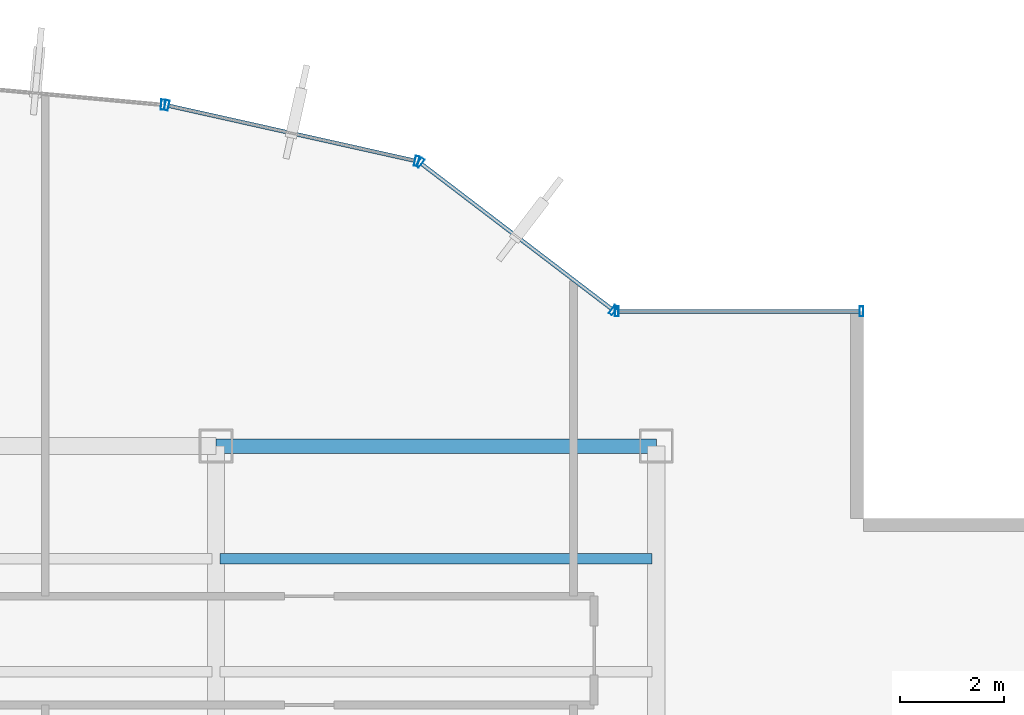
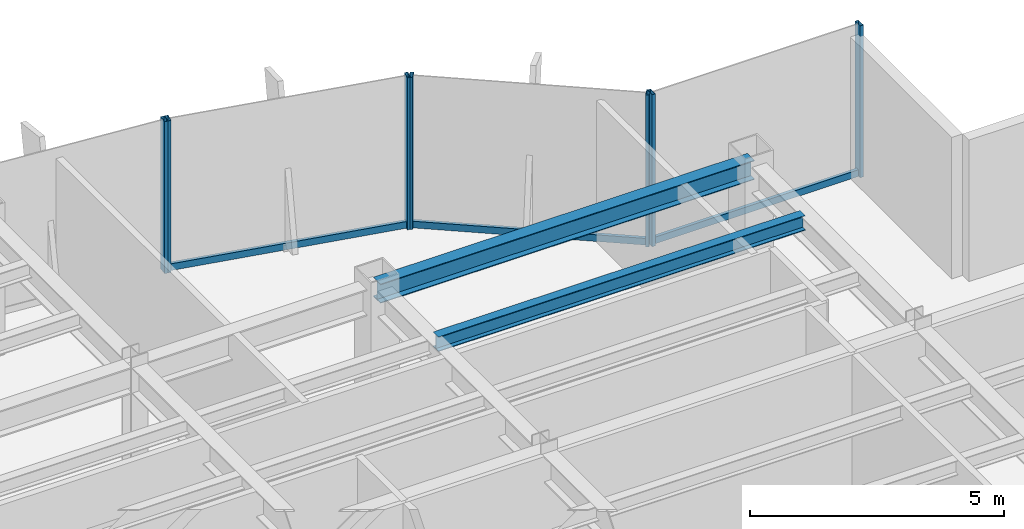
# One storey, part 17 of 25: 10 members, 2 beams, 4 elements without a shape of their own.
"""IFC4 building model written with IfcOpenShell, lengths in metres."""

from ifc_helpers import new_model, si_unit, derived_unit, direction, frame, origin, origin_2d, place, context, subcontext, project, spatial, hollow_rectangle, i_section, extrude, source, transform, mapped, material, material_profile, profile_set, type_object, element, aggregate, save


model = new_model("IFC4")

# Units and contexts
model_context = context("Model", 3, precision=1e-05, world=origin(), true_north=direction((0.0, 1.0)))
body_context = subcontext(model_context, "Body", "Model", "MODEL_VIEW")
ifc_project = project(units=[si_unit("LENGTHUNIT", "METRE"), si_unit("AREAUNIT", "SQUARE_METRE"), si_unit("VOLUMEUNIT", "CUBIC_METRE"), si_unit("PLANEANGLEUNIT", "RADIAN"), si_unit("MASSUNIT", "GRAM", prefix="KILO"), derived_unit("THERMALTRANSMITTANCEUNIT", [(si_unit("POWERUNIT", "WATT"), 1), (si_unit("LENGTHUNIT", "METRE"), -2), (si_unit("THERMODYNAMICTEMPERATUREUNIT", "KELVIN"), -1)])], contexts=[model_context])

# Site, building, storey
site_placement = place(None, origin())
site = spatial("IfcSite", under=ifc_project, at=site_placement, CompositionType="ELEMENT")
building_placement = place(site_placement, origin())
building = spatial("IfcBuilding", under=site, at=building_placement, Name="Skarnbrae Concourse Arena and Tower", CompositionType="ELEMENT")
storey_placement = place(building_placement, frame((0.0, 0.0, 144.25)))
storey = spatial("IfcBuildingStorey", under=building, at=storey_placement, Name="L36", CompositionType="ELEMENT", Elevation=144.25)

# Beams
ifc_material_1 = material(Name="Steel CSA G40.21 350W", Category="steel")
ifc_material_profile_1 = material_profile(ifc_material_1, i_section(OverallWidth=0.280029296875, OverallDepth=0.462890625, WebThickness=0.0107421875, FlangeThickness=0.017333984375, at=origin_2d()), Name="W460X113")
ifc_profile_set_1 = profile_set([ifc_material_profile_1], Name="Steel CSA G40.21 350W")
beam_type_1 = type_object("IfcBeamType", Name="BM-SPAN-W460X113", PredefinedType="SPANDREL", material=ifc_profile_set_1)
shared_shape_1 = source(origin(), body_context, "Body", "SweptSolid", [
    extrude(i_section(OverallWidth=0.280029296875, OverallDepth=0.462890625, WebThickness=0.0107421875, FlangeThickness=0.017333984375, at=origin_2d()), origin(), (0.0, 0.0, 1.0), 8.5),
])
beam_1_placement = place(storey_placement, frame((33.5, 34.39990234375, 3.16845703125), z_axis=(1.0, 0.0, 0.0), x_axis=(0.0, 1.0, 0.0)))
element("IfcBeam", 1, at=beam_1_placement, inside=storey, type_object=beam_type_1, Name="L36 Perimeter spandrel Y34.4-5", PredefinedType="SPANDREL", context=body_context, shape_type="MappedRepresentation", body=[
    mapped(shared_shape_1, transform((0.0, 0.0, 0.0))),
])
ifc_material_profile_2 = material_profile(ifc_material_1, i_section(OverallWidth=0.205078125, OverallDepth=0.35400390625, WebThickness=0.009521484375, FlangeThickness=0.016845703125, at=origin_2d()), Name="W360X79")
ifc_profile_set_2 = profile_set([ifc_material_profile_2], Name="Steel CSA G40.21 350W")
beam_type_2 = type_object("IfcBeamType", Name="BM-JOIST-W360X79", PredefinedType="JOIST", material=ifc_profile_set_2)
shared_shape_2 = source(origin(), body_context, "Body", "SweptSolid", [
    extrude(i_section(OverallWidth=0.205078125, OverallDepth=0.35400390625, WebThickness=0.009521484375, FlangeThickness=0.016845703125, at=origin_2d()), origin(), (0.0, 0.0, 1.0), 8.33984375),
])
beam_2_placement = place(storey_placement, frame((33.580078125, 32.221923828125, 3.222900390625), z_axis=(1.0, 0.0, 0.0), x_axis=(0.0, 1.0, 0.0)))
element("IfcBeam", 2, at=beam_2_placement, inside=storey, type_object=beam_type_2, Name="L36 Secondary floor joist 3.2.5", PredefinedType="JOIST", context=body_context, shape_type="MappedRepresentation", body=[
    mapped(shared_shape_2, transform((0.0, 0.0, 0.0))),
])

# Curtain wall, members
ifc_material_2 = material(Name="Bronze anodised aluminium 6063-T6", Category="aluminium")
curtain_wall_type = type_object("IfcCurtainWallType", Name="CW-SYS-04-MIDZONE", PredefinedType="USERDEFINED", material=ifc_material_2)
curtain_wall_1_placement = place(storey_placement, origin())
curtain_wall_1 = element("IfcCurtainWall", 3, at=curtain_wall_1_placement, inside=storey, type_object=curtain_wall_type, Name="L36 Unitised curtain wall CW-L36-E07", ObjectType="UNITISED CURTAIN WALL", PredefinedType="USERDEFINED")
ifc_material_profile_3 = material_profile(ifc_material_2, hollow_rectangle(XDim=0.074951171875, YDim=0.195068359375, WallThickness=0.00439453125, at=origin_2d()), Name="ALU-MULL-75X195")
ifc_profile_set_3 = profile_set([ifc_material_profile_3], Name="Bronze anodised aluminium 6063-T6")
member_type_1 = type_object("IfcMemberType", Name="CWM-CW-04", PredefinedType="MULLION", material=ifc_profile_set_3)
shared_shape_3 = source(origin(), body_context, "Body", "SweptSolid", [
    extrude(hollow_rectangle(XDim=0.074951171875, YDim=0.195068359375, WallThickness=0.00439453125, at=origin_2d()), origin(), (0.0, 0.0, 1.0), 3.64990234375),
])
member_1_placement = place(storey_placement, frame((45.96240234375, 37.0, 0.0), z_axis=(0.0, 0.0, 1.0), x_axis=(-1.0, 0.0, 0.0)))
member_1 = element("IfcMember", 4, at=member_1_placement, type_object=member_type_1, Name="CW-L36-E07 Mullion 1", PredefinedType="MULLION", context=body_context, shape_type="MappedRepresentation", body=[
    mapped(shared_shape_3, transform((0.0, 0.0, 0.0))),
])
member_2_placement = place(storey_placement, frame((41.237548828125, 37.0, 0.0), z_axis=(0.0, 0.0, 1.0), x_axis=(-1.0, 0.0, 0.0)))
member_2 = element("IfcMember", 5, at=member_2_placement, type_object=member_type_1, Name="CW-L36-E07 Mullion 2", PredefinedType="MULLION", context=body_context, shape_type="MappedRepresentation", body=[
    mapped(shared_shape_3, transform((0.0, 0.0, 0.0))),
])

curtain_wall_2_placement = place(storey_placement, origin())
curtain_wall_2 = element("IfcCurtainWall", 6, at=curtain_wall_2_placement, inside=storey, type_object=curtain_wall_type, Name="L36 Unitised curtain wall CW-L36-E08", ObjectType="UNITISED CURTAIN WALL", PredefinedType="USERDEFINED")
member_3_placement = place(storey_placement, frame((41.170166015625, 37.022705078125, 0.0), z_axis=(0.0, 0.0, 1.0), x_axis=(-0.794956000706, 0.606667089054, 0.0)))
member_3 = element("IfcMember", 7, at=member_3_placement, type_object=member_type_1, Name="CW-L36-E08 Mullion 1", PredefinedType="MULLION", context=body_context, shape_type="MappedRepresentation", body=[
    mapped(shared_shape_3, transform((0.0, 0.0, 0.0))),
])
member_4_placement = place(storey_placement, frame((37.439208984375, 39.869873046875, 0.0), z_axis=(0.0, 0.0, 1.0), x_axis=(-0.794956000706, 0.606667089054, 0.0)))
member_4 = element("IfcMember", 8, at=member_4_placement, type_object=member_type_1, Name="CW-L36-E08 Mullion 2", PredefinedType="MULLION", context=body_context, shape_type="MappedRepresentation", body=[
    mapped(shared_shape_3, transform((0.0, 0.0, 0.0))),
])

curtain_wall_3_placement = place(storey_placement, origin())
curtain_wall_3 = element("IfcCurtainWall", 9, at=curtain_wall_3_placement, inside=storey, type_object=curtain_wall_type, Name="L36 Unitised curtain wall CW-L36-E09", ObjectType="UNITISED CURTAIN WALL", PredefinedType="USERDEFINED")
member_5_placement = place(storey_placement, frame((37.372802734375, 39.90087890625, 0.0), z_axis=(0.0, 0.0, 1.0), x_axis=(-0.975936175393, 0.218056372433, 0.0)))
member_5 = element("IfcMember", 10, at=member_5_placement, type_object=member_type_1, Name="CW-L36-E09 Mullion 1", PredefinedType="MULLION", context=body_context, shape_type="MappedRepresentation", body=[
    mapped(shared_shape_3, transform((0.0, 0.0, 0.0))),
])
member_6_placement = place(storey_placement, frame((32.548828125, 40.978759765625, 0.0), z_axis=(0.0, 0.0, 1.0), x_axis=(-0.975936175393, 0.218056372433, 0.0)))
member_6 = element("IfcMember", 11, at=member_6_placement, type_object=member_type_1, Name="CW-L36-E09 Mullion 2", PredefinedType="MULLION", context=body_context, shape_type="MappedRepresentation", body=[
    mapped(shared_shape_3, transform((0.0, 0.0, 0.0))),
])

# Curtain wall, member
curtain_wall_4_placement = place(storey_placement, origin())
curtain_wall_4 = element("IfcCurtainWall", 12, at=curtain_wall_4_placement, inside=storey, type_object=curtain_wall_type, Name="L36 Unitised curtain wall CW-L36-E10", ObjectType="UNITISED CURTAIN WALL", PredefinedType="USERDEFINED")
member_7_placement = place(storey_placement, frame((32.47509765625, 40.990234375, 0.0), z_axis=(0.0, 0.0, 1.0), x_axis=(-0.995819926016, 0.091338244731, 0.0)))
member_7 = element("IfcMember", 13, at=member_7_placement, type_object=member_type_1, Name="CW-L36-E10 Mullion 1", PredefinedType="MULLION", context=body_context, shape_type="MappedRepresentation", body=[
    mapped(shared_shape_3, transform((0.0, 0.0, 0.0))),
])
aggregate(curtain_wall_4, [member_7])

# Member
ifc_material_profile_4 = material_profile(ifc_material_2, hollow_rectangle(XDim=0.074951171875, YDim=0.159912109375, WallThickness=0.00439453125, at=origin_2d()), Name="ALU-TRAN-75X160")
ifc_profile_set_4 = profile_set([ifc_material_profile_4], Name="Bronze anodised aluminium 6063-T6")
member_type_2 = type_object("IfcMemberType", Name="CWT-CW-04", PredefinedType="USERDEFINED", material=ifc_profile_set_4)
shared_shape_4 = source(origin(), body_context, "Body", "SweptSolid", [
    extrude(hollow_rectangle(XDim=0.074951171875, YDim=0.159912109375, WallThickness=0.00439453125, at=origin_2d()), origin(), (0.0, 0.0, 1.0), 4.650146484375),
])
member_8_placement = place(storey_placement, frame((45.925048828125, 37.0, 0.080078125), z_axis=(-1.0, 0.0, 0.0), x_axis=(0.0, -1.0, 0.0)))
member_8 = element("IfcMember", 14, at=member_8_placement, type_object=member_type_2, Name="CW-L36-E07 Transom 1", ObjectType="TRANSOM", PredefinedType="USERDEFINED", context=body_context, shape_type="MappedRepresentation", body=[
    mapped(shared_shape_4, transform((0.0, 0.0, 0.0))),
])

aggregate(curtain_wall_1, [member_1, member_2, member_8])

shared_shape_5 = source(origin(), body_context, "Body", "SweptSolid", [
    extrude(hollow_rectangle(XDim=0.074951171875, YDim=0.159912109375, WallThickness=0.00439453125, at=origin_2d()), origin(), (0.0, 0.0, 1.0), 4.618408203125),
])
member_9_placement = place(storey_placement, frame((41.140380859375, 37.04541015625, 0.080078125), z_axis=(-0.794960638756, 0.606661011462, 0.0), x_axis=(-0.606661011462, -0.794960638756, 0.0)))
member_9 = element("IfcMember", 15, at=member_9_placement, type_object=member_type_2, Name="CW-L36-E08 Transom 1", ObjectType="TRANSOM", PredefinedType="USERDEFINED", context=body_context, shape_type="MappedRepresentation", body=[
    mapped(shared_shape_5, transform((0.0, 0.0, 0.0))),
])

aggregate(curtain_wall_2, [member_3, member_4, member_9])

shared_shape_6 = source(origin(), body_context, "Body", "SweptSolid", [
    extrude(hollow_rectangle(XDim=0.074951171875, YDim=0.159912109375, WallThickness=0.00439453125, at=origin_2d()), origin(), (0.0, 0.0, 1.0), 4.867919921875),
])
member_10_placement = place(storey_placement, frame((37.336181640625, 39.9091796875, 0.080078125), z_axis=(-0.975944534406, 0.218018957349, 0.0), x_axis=(-0.218018957349, -0.975944534406, 0.0)))
member_10 = element("IfcMember", 16, at=member_10_placement, type_object=member_type_2, Name="CW-L36-E09 Transom 1", ObjectType="TRANSOM", PredefinedType="USERDEFINED", context=body_context, shape_type="MappedRepresentation", body=[
    mapped(shared_shape_6, transform((0.0, 0.0, 0.0))),
])

aggregate(curtain_wall_3, [member_5, member_6, member_10])

save(model, "model.ifc")
